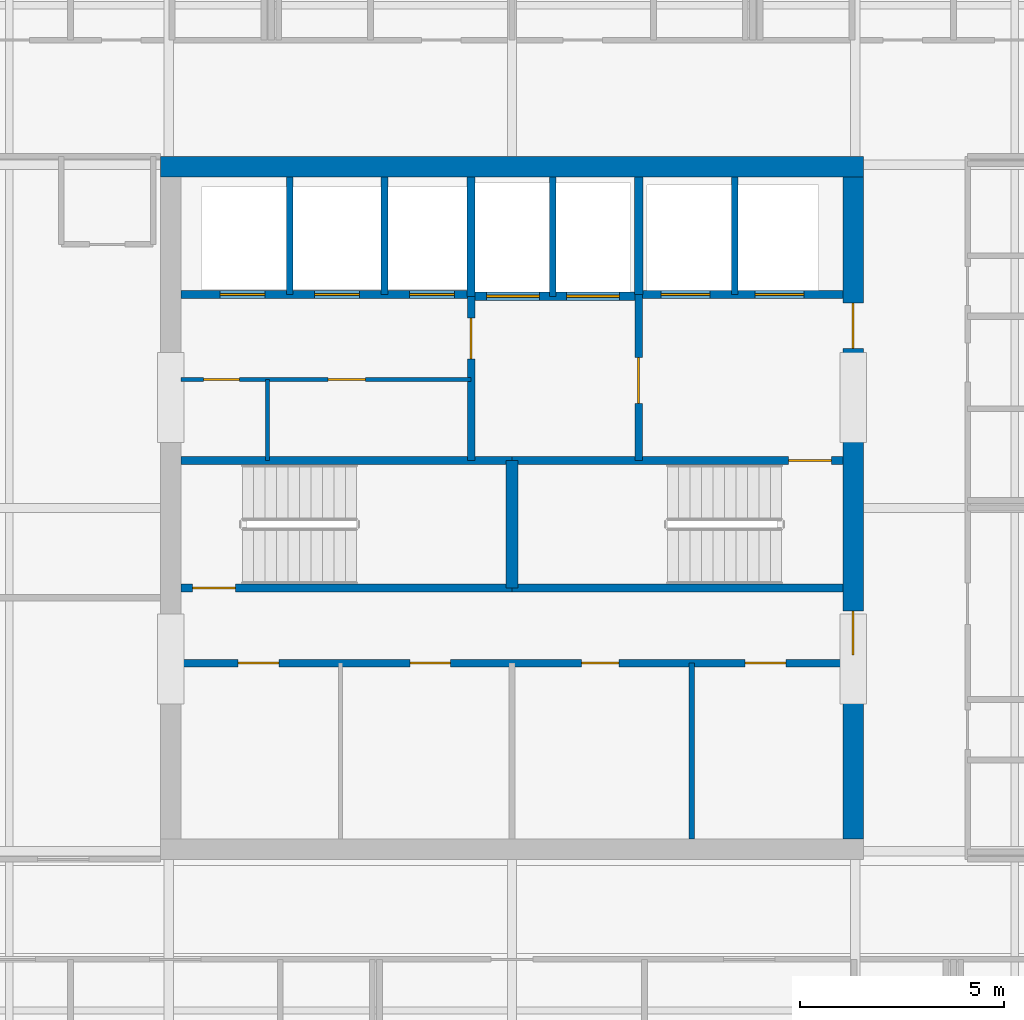
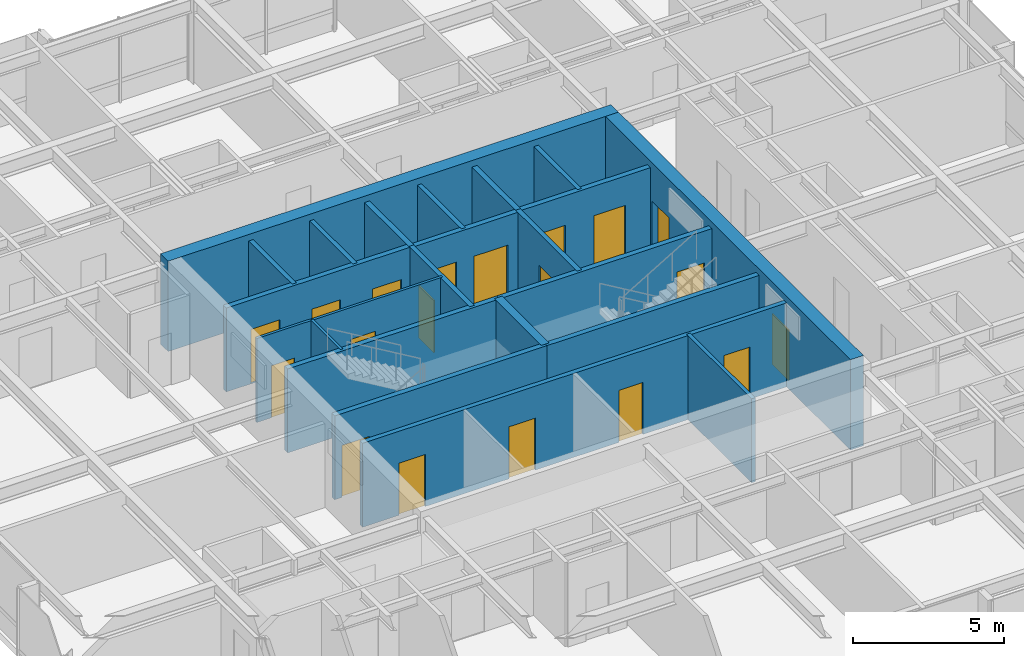
# One storey, part 29 of 34: 22 walls, 19 doors, 19 openings.
"""IFC4 building model written with IfcOpenShell, lengths in metres."""

from ifc_helpers import new_model, si_unit, direction, frame, frame_2d, origin, place, context, subcontext, project, spatial, rectangle, extrude, material, layer, layer_set, type_object, element, fill, save


model = new_model("IFC4")

# Units and contexts
model_context = context("Model", 3, precision=1e-05, world=origin(), true_north=direction((0.0, 1.0)))
body_context = subcontext(model_context, "Body", "Model", "MODEL_VIEW")
ifc_project = project(units=[si_unit("LENGTHUNIT", "METRE"), si_unit("AREAUNIT", "SQUARE_METRE"), si_unit("VOLUMEUNIT", "CUBIC_METRE"), si_unit("PLANEANGLEUNIT", "RADIAN"), si_unit("MASSUNIT", "GRAM", prefix="KILO")], contexts=[model_context])

# Site, building, storey
site_placement = place(None, origin())
site = spatial("IfcSite", under=ifc_project, at=site_placement, CompositionType="ELEMENT")
building_placement = place(site_placement, origin())
building = spatial("IfcBuilding", under=site, at=building_placement, Name="Drelvath Grand Hotel", CompositionType="ELEMENT")
storey_placement = place(building_placement, frame((0.0, 0.0, 272.300048828125)))
storey = spatial("IfcBuildingStorey", under=building, at=storey_placement, Name="L71", CompositionType="ELEMENT", Elevation=272.300048828125)

# Wall, openings, doors
ifc_material_1 = material(Name="Gypsum Partition Board")
ifc_layer_1 = layer(ifc_material_1, 0.10009765625)
ifc_layer_set_1 = layer_set([ifc_layer_1], Name="Gypsum Partition Board")
wall_type_1 = type_object("IfcWallType", Name="Core Closet Partition 100", PredefinedType="PARTITIONING", material=ifc_layer_set_1)
wall_1_placement = place(storey_placement, frame((-8.10009765625, 30.139892578125, 0.0), z_axis=(0.0, 0.0, 1.0), x_axis=(1.0, 0.0, 0.0)))
wall_1 = element("IfcWall", 1, at=wall_1_placement, inside=storey, type_object=wall_type_1, Name="L71 High-Rise Lobby Closet Wall", PredefinedType="PARTITIONING", context=body_context, shape_type="SweptSolid", body=[
    extrude(rectangle(XDim=7.10009765625, YDim=0.10009765625, at=frame_2d((3.550048828125, 0.0))), origin(), (0.0, 0.0, 1.0), 3.389892578125),
])
opening_1_placement = place(wall_1_placement, frame((0.550048828125, 0.0, 0.0)))
opening_1 = element("IfcOpeningElement", 2, at=opening_1_placement, cuts=wall_1, Name="Opening D-T5G1-013", PredefinedType="OPENING", context=body_context, shape_type="SweptSolid", body=[
    extrude(rectangle(XDim=0.8798828125, YDim=2.10009765625, at=frame_2d((0.43994140625, 1.050048828125))), frame((0.0, 0.06005859375, 0.0), z_axis=(0.0, -1.0, 0.0), x_axis=(1.0, 0.0, 0.0)), (0.0, 0.0, 1.0), 0.1201171875),
])
opening_2_placement = place(wall_1_placement, frame((3.60009765625, 0.0, 0.0)))
opening_2 = element("IfcOpeningElement", 3, at=opening_2_placement, cuts=wall_1, Name="Opening D-T5G1-014", PredefinedType="OPENING", context=body_context, shape_type="SweptSolid", body=[
    extrude(rectangle(XDim=0.919921875, YDim=2.10009765625, at=frame_2d((0.4599609375, 1.050048828125))), frame((0.0, 0.06005859375, 0.0), z_axis=(0.0, -1.0, 0.0), x_axis=(1.0, 0.0, 0.0)), (0.0, 0.0, 1.0), 0.1201171875),
])
ifc_material_2 = material(Name="Hardwood Walnut Timber", Category="wood")
door_type_1 = type_object("IfcDoorType", Name="En-Suite Bathroom Door 880x2100", OperationType="NOTDEFINED", PredefinedType="DOOR", material=ifc_material_2)
door_1_placement = place(opening_1_placement, origin())
door_1 = element("IfcDoor", 4, at=door_1_placement, inside=storey, type_object=door_type_1, Name="L71 Low-Voltage Closet Door", OperationType="SINGLE_SWING_RIGHT", OverallHeight=2.10009765625, OverallWidth=0.8798828125, PredefinedType="DOOR", context=body_context, shape_type="SweptSolid", body=[
    extrude(rectangle(XDim=0.8798828125, YDim=2.10009765625, at=frame_2d((0.43994140625, 1.050048828125))), frame((0.0, 0.02490234375, 0.0), z_axis=(0.0, -1.0, 0.0), x_axis=(1.0, 0.0, 0.0)), (0.0, 0.0, 1.0), 0.050048828125),
])
fill(opening_1, door_1)
ifc_material_3 = material(Name="Painted Steel S275", Category="steel")
door_type_2 = type_object("IfcDoorType", Name="Staff Utility Door 920x2100", OperationType="NOTDEFINED", PredefinedType="DOOR", material=ifc_material_3)
door_2_placement = place(opening_2_placement, origin())
door_2 = element("IfcDoor", 5, at=door_2_placement, inside=storey, type_object=door_type_2, Name="L71 Telecom Distribution Door", OperationType="SINGLE_SWING_LEFT", OverallHeight=2.10009765625, OverallWidth=0.919921875, PredefinedType="DOOR", context=body_context, shape_type="SweptSolid", body=[
    extrude(rectangle(XDim=0.919921875, YDim=2.10009765625, at=frame_2d((0.4599609375, 1.050048828125))), frame((0.0, 0.02490234375, 0.0), z_axis=(0.0, -1.0, 0.0), x_axis=(1.0, 0.0, 0.0)), (0.0, 0.0, 1.0), 0.050048828125),
])
fill(opening_2, door_2)

# Wall
wall_2_placement = place(storey_placement, frame((-5.97998046875, 28.159912109375, 0.0), z_axis=(0.0, 0.0, 1.0), x_axis=(0.0, 1.0, 0.0)))
element("IfcWall", 6, at=wall_2_placement, inside=storey, type_object=wall_type_1, Name="L71 Core Closet Split 2", PredefinedType="PARTITIONING", context=body_context, shape_type="SweptSolid", body=[
    extrude(rectangle(XDim=1.97998046875, YDim=0.10009765625, at=frame_2d((0.989990234375, 0.0))), origin(), (0.0, 0.0, 1.0), 3.389892578125),
])

# Wall, openings, doors
ifc_material_4 = material(Name="Concrete C40/50", Category="concrete")
ifc_layer_2 = layer(ifc_material_4, 0.199951171875)
ifc_layer_set_2 = layer_set([ifc_layer_2], Name="Concrete C40/50")
wall_type_2 = type_object("IfcWallType", Name="Core Hoistway Fire Wall 200", PredefinedType="SOLIDWALL", material=ifc_layer_set_2)
wall_3_placement = place(storey_placement, frame((3.10009765625, 32.219970703125, 0.0), z_axis=(0.0, 0.0, 1.0), x_axis=(1.0, 0.0, 0.0)))
wall_3 = element("IfcWall", 7, at=wall_3_placement, inside=storey, type_object=wall_type_2, Name="L71 FSAE Hoistway Front Wall", PredefinedType="SOLIDWALL", context=body_context, shape_type="SweptSolid", body=[
    extrude(rectangle(XDim=5.0, YDim=0.199951171875, at=frame_2d((2.5, 0.0))), origin(), (0.0, 0.0, 1.0), 3.389892578125),
])
opening_3_placement = place(wall_3_placement, frame((0.550048828125, 0.0, 0.0)))
opening_3 = element("IfcOpeningElement", 8, at=opening_3_placement, cuts=wall_3, Name="Opening LD-FSAE-1", PredefinedType="OPENING", context=body_context, shape_type="SweptSolid", body=[
    extrude(rectangle(XDim=1.199951171875, YDim=2.199951171875, at=frame_2d((0.60009765625, 1.10009765625))), frame((0.0, 0.10986328125, 0.0), z_axis=(0.0, -1.0, 0.0), x_axis=(1.0, 0.0, 0.0)), (0.0, 0.0, 1.0), 0.219970703125),
])
opening_4_placement = place(wall_3_placement, frame((2.85009765625, 0.0, 0.0)))
opening_4 = element("IfcOpeningElement", 9, at=opening_4_placement, cuts=wall_3, Name="Opening LD-FSAE-2", PredefinedType="OPENING", context=body_context, shape_type="SweptSolid", body=[
    extrude(rectangle(XDim=1.199951171875, YDim=2.199951171875, at=frame_2d((0.60009765625, 1.10009765625))), frame((0.0, 0.10986328125, 0.0), z_axis=(0.0, -1.0, 0.0), x_axis=(1.0, 0.0, 0.0)), (0.0, 0.0, 1.0), 0.219970703125),
])
ifc_material_5 = material(Name="Stainless Steel S355", Category="steel")
door_type_3 = type_object("IfcDoorType", Name="FSAE Lift Sliding Landing Door 1200x2200", OperationType="NOTDEFINED", PredefinedType="DOOR", material=ifc_material_5)
door_3_placement = place(opening_3_placement, origin())
door_3 = element("IfcDoor", 10, at=door_3_placement, inside=storey, type_object=door_type_3, Name="L71 Lift FSAE-1 Landing Door", OperationType="SLIDING_TO_LEFT", OverallHeight=2.199951171875, OverallWidth=1.199951171875, PredefinedType="DOOR", context=body_context, shape_type="SweptSolid", body=[
    extrude(rectangle(XDim=1.199951171875, YDim=2.199951171875, at=frame_2d((0.60009765625, 1.10009765625))), frame((0.0, 0.02490234375, 0.0), z_axis=(0.0, -1.0, 0.0), x_axis=(1.0, 0.0, 0.0)), (0.0, 0.0, 1.0), 0.050048828125),
])
fill(opening_3, door_3)
door_4_placement = place(opening_4_placement, origin())
door_4 = element("IfcDoor", 11, at=door_4_placement, inside=storey, type_object=door_type_3, Name="L71 Lift FSAE-2 Landing Door", OperationType="SLIDING_TO_LEFT", OverallHeight=2.199951171875, OverallWidth=1.199951171875, PredefinedType="DOOR", context=body_context, shape_type="SweptSolid", body=[
    extrude(rectangle(XDim=1.199951171875, YDim=2.199951171875, at=frame_2d((0.60009765625, 1.10009765625))), frame((0.0, 0.02490234375, 0.0), z_axis=(0.0, -1.0, 0.0), x_axis=(1.0, 0.0, 0.0)), (0.0, 0.0, 1.0), 0.050048828125),
])
fill(opening_4, door_4)

# Wall
wall_4_placement = place(storey_placement, frame((3.10009765625, 32.219970703125, 0.0), z_axis=(0.0, 0.0, 1.0), x_axis=(0.0, 1.0, 0.0)))
element("IfcWall", 12, at=wall_4_placement, inside=storey, type_object=wall_type_2, Name="L71 FSAE Hoistway West Wall", PredefinedType="SOLIDWALL", context=body_context, shape_type="SweptSolid", body=[
    extrude(rectangle(XDim=2.880126953125, YDim=0.199951171875, at=frame_2d((1.43994140625, 0.0))), origin(), (0.0, 0.0, 1.0), 3.389892578125),
])

# Wall, openings, doors
wall_5_placement = place(storey_placement, frame((-1.0, 32.179931640625, 0.0), z_axis=(0.0, 0.0, 1.0), x_axis=(1.0, 0.0, 0.0)))
wall_5 = element("IfcWall", 13, at=wall_5_placement, inside=storey, type_object=wall_type_2, Name="L71 Service Lift Hoistway Wall", PredefinedType="SOLIDWALL", context=body_context, shape_type="SweptSolid", body=[
    extrude(rectangle(XDim=4.10009765625, YDim=0.199951171875, at=frame_2d((2.050048828125, 0.0))), origin(), (0.0, 0.0, 1.0), 3.389892578125),
])
opening_5_placement = place(wall_5_placement, frame((0.3701171875, 0.0, 0.0)))
opening_5 = element("IfcOpeningElement", 14, at=opening_5_placement, cuts=wall_5, Name="Opening LD-SV-2", PredefinedType="OPENING", context=body_context, shape_type="SweptSolid", body=[
    extrude(rectangle(XDim=1.300048828125, YDim=2.199951171875, at=frame_2d((0.64990234375, 1.10009765625))), frame((0.0, 0.10986328125, 0.0), z_axis=(0.0, -1.0, 0.0), x_axis=(1.0, 0.0, 0.0)), (0.0, 0.0, 1.0), 0.219970703125),
])
opening_6_placement = place(wall_5_placement, frame((2.330078125, 0.0, 0.0)))
opening_6 = element("IfcOpeningElement", 15, at=opening_6_placement, cuts=wall_5, Name="Opening LD-SV-1", PredefinedType="OPENING", context=body_context, shape_type="SweptSolid", body=[
    extrude(rectangle(XDim=1.300048828125, YDim=2.199951171875, at=frame_2d((0.64990234375, 1.10009765625))), frame((0.0, 0.10986328125, 0.0), z_axis=(0.0, -1.0, 0.0), x_axis=(1.0, 0.0, 0.0)), (0.0, 0.0, 1.0), 0.219970703125),
])
door_type_4 = type_object("IfcDoorType", Name="Service Lift Sliding Landing Door 1300x2200", OperationType="NOTDEFINED", PredefinedType="DOOR", material=ifc_material_5)
door_5_placement = place(opening_5_placement, origin())
door_5 = element("IfcDoor", 16, at=door_5_placement, inside=storey, type_object=door_type_4, Name="L71 Lift SV-2 Landing Door", OperationType="SLIDING_TO_LEFT", OverallHeight=2.199951171875, OverallWidth=1.300048828125, PredefinedType="DOOR", context=body_context, shape_type="SweptSolid", body=[
    extrude(rectangle(XDim=1.300048828125, YDim=2.199951171875, at=frame_2d((0.64990234375, 1.10009765625))), frame((0.0, 0.02490234375, 0.0), z_axis=(0.0, -1.0, 0.0), x_axis=(1.0, 0.0, 0.0)), (0.0, 0.0, 1.0), 0.050048828125),
])
fill(opening_5, door_5)
door_6_placement = place(opening_6_placement, origin())
door_6 = element("IfcDoor", 17, at=door_6_placement, inside=storey, type_object=door_type_4, Name="L71 Lift SV-1 Landing Door", OperationType="SLIDING_TO_LEFT", OverallHeight=2.199951171875, OverallWidth=1.300048828125, PredefinedType="DOOR", context=body_context, shape_type="SweptSolid", body=[
    extrude(rectangle(XDim=1.300048828125, YDim=2.199951171875, at=frame_2d((0.64990234375, 1.10009765625))), frame((0.0, 0.02490234375, 0.0), z_axis=(0.0, -1.0, 0.0), x_axis=(1.0, 0.0, 0.0)), (0.0, 0.0, 1.0), 0.050048828125),
])
fill(opening_6, door_6)

# Wall
wall_6_placement = place(storey_placement, frame((-1.0, 32.179931640625, 0.0), z_axis=(0.0, 0.0, 1.0), x_axis=(0.0, 1.0, 0.0)))
element("IfcWall", 18, at=wall_6_placement, inside=storey, type_object=wall_type_2, Name="L71 Service Lift West Wall", PredefinedType="SOLIDWALL", context=body_context, shape_type="SweptSolid", body=[
    extrude(rectangle(XDim=2.920166015625, YDim=0.199951171875, at=frame_2d((1.4599609375, 0.0))), origin(), (0.0, 0.0, 1.0), 3.389892578125),
])

# Wall, openings, doors
wall_7_placement = place(storey_placement, frame((-8.10009765625, 32.219970703125, 0.0), z_axis=(0.0, 0.0, 1.0), x_axis=(1.0, 0.0, 0.0)))
wall_7 = element("IfcWall", 19, at=wall_7_placement, inside=storey, type_object=wall_type_2, Name="L71 Bank 3 Hoistway Wall", PredefinedType="SOLIDWALL", context=body_context, shape_type="SweptSolid", body=[
    extrude(rectangle(XDim=7.10009765625, YDim=0.199951171875, at=frame_2d((3.550048828125, 0.0))), origin(), (0.0, 0.0, 1.0), 3.389892578125),
])
opening_7_placement = place(wall_7_placement, frame((0.949951171875, 0.0, 0.0)))
opening_7 = element("IfcOpeningElement", 20, at=opening_7_placement, cuts=wall_7, Name="Opening LD-PE-7", PredefinedType="OPENING", context=body_context, shape_type="SweptSolid", body=[
    extrude(rectangle(XDim=1.10009765625, YDim=2.199951171875, at=frame_2d((0.550048828125, 1.10009765625))), frame((0.0, 0.10986328125, 0.0), z_axis=(0.0, -1.0, 0.0), x_axis=(1.0, 0.0, 0.0)), (0.0, 0.0, 1.0), 0.219970703125),
])
opening_8_placement = place(wall_7_placement, frame((3.27001953125, 0.0, 0.0)))
opening_8 = element("IfcOpeningElement", 21, at=opening_8_placement, cuts=wall_7, Name="Opening LD-PE-8", PredefinedType="OPENING", context=body_context, shape_type="SweptSolid", body=[
    extrude(rectangle(XDim=1.10009765625, YDim=2.199951171875, at=frame_2d((0.550048828125, 1.10009765625))), frame((0.0, 0.10986328125, 0.0), z_axis=(0.0, -1.0, 0.0), x_axis=(1.0, 0.0, 0.0)), (0.0, 0.0, 1.0), 0.219970703125),
])
opening_9_placement = place(wall_7_placement, frame((5.590087890625, 0.0, 0.0)))
opening_9 = element("IfcOpeningElement", 22, at=opening_9_placement, cuts=wall_7, Name="Opening LD-PE-9", PredefinedType="OPENING", context=body_context, shape_type="SweptSolid", body=[
    extrude(rectangle(XDim=1.10009765625, YDim=2.199951171875, at=frame_2d((0.550048828125, 1.10009765625))), frame((0.0, 0.10986328125, 0.0), z_axis=(0.0, -1.0, 0.0), x_axis=(1.0, 0.0, 0.0)), (0.0, 0.0, 1.0), 0.219970703125),
])
door_type_5 = type_object("IfcDoorType", Name="Passenger Lift Sliding Landing Door 1100x2200", OperationType="NOTDEFINED", PredefinedType="DOOR", material=ifc_material_5)
door_7_placement = place(opening_7_placement, origin())
door_7 = element("IfcDoor", 23, at=door_7_placement, inside=storey, type_object=door_type_5, Name="L71 Lift PE-7 Landing Door", OperationType="SLIDING_TO_LEFT", OverallHeight=2.199951171875, OverallWidth=1.10009765625, PredefinedType="DOOR", context=body_context, shape_type="SweptSolid", body=[
    extrude(rectangle(XDim=1.10009765625, YDim=2.199951171875, at=frame_2d((0.550048828125, 1.10009765625))), frame((0.0, 0.02490234375, 0.0), z_axis=(0.0, -1.0, 0.0), x_axis=(1.0, 0.0, 0.0)), (0.0, 0.0, 1.0), 0.050048828125),
])
fill(opening_7, door_7)
door_8_placement = place(opening_8_placement, origin())
door_8 = element("IfcDoor", 24, at=door_8_placement, inside=storey, type_object=door_type_5, Name="L71 Lift PE-8 Landing Door", OperationType="SLIDING_TO_LEFT", OverallHeight=2.199951171875, OverallWidth=1.10009765625, PredefinedType="DOOR", context=body_context, shape_type="SweptSolid", body=[
    extrude(rectangle(XDim=1.10009765625, YDim=2.199951171875, at=frame_2d((0.550048828125, 1.10009765625))), frame((0.0, 0.02490234375, 0.0), z_axis=(0.0, -1.0, 0.0), x_axis=(1.0, 0.0, 0.0)), (0.0, 0.0, 1.0), 0.050048828125),
])
fill(opening_8, door_8)
door_9_placement = place(opening_9_placement, origin())
door_9 = element("IfcDoor", 25, at=door_9_placement, inside=storey, type_object=door_type_5, Name="L71 Lift PE-9 Landing Door", OperationType="SLIDING_TO_LEFT", OverallHeight=2.199951171875, OverallWidth=1.10009765625, PredefinedType="DOOR", context=body_context, shape_type="SweptSolid", body=[
    extrude(rectangle(XDim=1.10009765625, YDim=2.199951171875, at=frame_2d((0.550048828125, 1.10009765625))), frame((0.0, 0.02490234375, 0.0), z_axis=(0.0, -1.0, 0.0), x_axis=(1.0, 0.0, 0.0)), (0.0, 0.0, 1.0), 0.050048828125),
])
fill(opening_9, door_9)

# Wall, opening, door
ifc_layer_3 = layer(ifc_material_4, 0.199951171875)
ifc_layer_set_3 = layer_set([ifc_layer_3], Name="Concrete C40/50")
wall_type_3 = type_object("IfcWallType", Name="Core Shaft Fire Wall 200", PredefinedType="SOLIDWALL", material=ifc_layer_set_3)
wall_8_placement = place(storey_placement, frame((-8.10009765625, 25.0400390625, 0.0), z_axis=(0.0, 0.0, 1.0), x_axis=(1.0, 0.0, 0.0)))
wall_8 = element("IfcWall", 26, at=wall_8_placement, inside=storey, type_object=wall_type_3, Name="L71 Stair ST-1 South Wall", PredefinedType="SOLIDWALL", context=body_context, shape_type="SweptSolid", body=[
    extrude(rectangle(XDim=8.10009765625, YDim=0.199951171875, at=frame_2d((4.050048828125, 0.0))), origin(), (0.0, 0.0, 1.0), 3.389892578125),
])
opening_10_placement = place(wall_8_placement, frame((0.280029296875, 0.0, 0.0)))
opening_10 = element("IfcOpeningElement", 27, at=opening_10_placement, cuts=wall_8, Name="Opening D-T5G1-001", PredefinedType="OPENING", context=body_context, shape_type="SweptSolid", body=[
    extrude(rectangle(XDim=1.050048828125, YDim=2.10009765625, at=frame_2d((0.52490234375, 1.050048828125))), frame((0.0, 0.10986328125, 0.0), z_axis=(0.0, -1.0, 0.0), x_axis=(1.0, 0.0, 0.0)), (0.0, 0.0, 1.0), 0.219970703125),
])
door_type_6 = type_object("IfcDoorType", Name="Tower Stairwell Fire Door 1050x2100", OperationType="NOTDEFINED", PredefinedType="DOOR", material=ifc_material_3)
door_10_placement = place(opening_10_placement, origin())
door_10 = element("IfcDoor", 28, at=door_10_placement, inside=storey, type_object=door_type_6, Name="L71 Exit Stair ST-1 Door", OperationType="SINGLE_SWING_LEFT", OverallHeight=2.10009765625, OverallWidth=1.050048828125, PredefinedType="DOOR", context=body_context, shape_type="SweptSolid", body=[
    extrude(rectangle(XDim=1.050048828125, YDim=2.10009765625, at=frame_2d((0.52490234375, 1.050048828125))), frame((0.0, 0.02490234375, 0.0), z_axis=(0.0, -1.0, 0.0), x_axis=(1.0, 0.0, 0.0)), (0.0, 0.0, 1.0), 0.050048828125),
])
fill(opening_10, door_10)

# Walls
for number, where, z_axis, x_axis, name in (
    (29, (-8.10009765625, 28.159912109375, 0.0), (0.0, 0.0, 1.0), (1.0, 0.0, 0.0), "L71 Stair ST-1 North Wall"),
    (30, (0.0, 25.0400390625, 0.0), (0.0, 0.0, 1.0), (1.0, 0.0, 0.0), "L71 Stair ST-2 South Wall"),
):
    element("IfcWall", number, at=place(storey_placement, frame(where, z_axis=z_axis, x_axis=x_axis)), inside=storey, type_object=wall_type_3, Name=name, PredefinedType="SOLIDWALL", context=body_context, shape_type="SweptSolid", body=[
        extrude(rectangle(XDim=8.10009765625, YDim=0.199951171875, at=frame_2d((4.050048828125, 0.0))), origin(), (0.0, 0.0, 1.0), 3.389892578125),
    ])

# Wall, opening, door
wall_9_placement = place(storey_placement, frame((8.10009765625, 28.159912109375, 0.0), z_axis=(0.0, 0.0, 1.0), x_axis=(-1.0, 0.0, 0.0)))
wall_9 = element("IfcWall", 31, at=wall_9_placement, inside=storey, type_object=wall_type_3, Name="L71 Stair ST-2 North Wall", PredefinedType="SOLIDWALL", context=body_context, shape_type="SweptSolid", body=[
    extrude(rectangle(XDim=8.10009765625, YDim=0.199951171875, at=frame_2d((4.050048828125, 0.0))), origin(), (0.0, 0.0, 1.0), 3.389892578125),
])
opening_11_placement = place(wall_9_placement, frame((0.280029296875, 0.0, 0.0)))
opening_11 = element("IfcOpeningElement", 32, at=opening_11_placement, cuts=wall_9, Name="Opening D-T5G1-002", PredefinedType="OPENING", context=body_context, shape_type="SweptSolid", body=[
    extrude(rectangle(XDim=1.050048828125, YDim=2.10009765625, at=frame_2d((0.52490234375, 1.050048828125))), frame((0.0, 0.10986328125, 0.0), z_axis=(0.0, -1.0, 0.0), x_axis=(1.0, 0.0, 0.0)), (0.0, 0.0, 1.0), 0.219970703125),
])
door_11_placement = place(opening_11_placement, origin())
door_11 = element("IfcDoor", 33, at=door_11_placement, inside=storey, type_object=door_type_6, Name="L71 Exit Stair ST-2 Door", OperationType="SINGLE_SWING_LEFT", OverallHeight=2.10009765625, OverallWidth=1.050048828125, PredefinedType="DOOR", context=body_context, shape_type="SweptSolid", body=[
    extrude(rectangle(XDim=1.050048828125, YDim=2.10009765625, at=frame_2d((0.52490234375, 1.050048828125))), frame((0.0, 0.02490234375, 0.0), z_axis=(0.0, -1.0, 0.0), x_axis=(1.0, 0.0, 0.0)), (0.0, 0.0, 1.0), 0.050048828125),
])
fill(opening_11, door_11)

# Walls
ifc_layer_4 = layer(ifc_material_4, 0.300048828125)
ifc_layer_set_4 = layer_set([ifc_layer_4], Name="Concrete C40/50")
wall_type_4 = type_object("IfcWallType", Name="Core Shaft Fire Wall 300", PredefinedType="SOLIDWALL", material=ifc_layer_set_4)
wall_10_placement = place(storey_placement, frame((0.0, 25.0400390625, 0.0), z_axis=(0.0, 0.0, 1.0), x_axis=(0.0, 1.0, 0.0)))
element("IfcWall", 34, at=wall_10_placement, inside=storey, type_object=wall_type_4, Name="L71 Core Stair Divider Wall", PredefinedType="SOLIDWALL", context=body_context, shape_type="SweptSolid", body=[
    extrude(rectangle(XDim=3.119873046875, YDim=0.300048828125, at=frame_2d((1.56005859375, 0.0))), origin(), (0.0, 0.0, 1.0), 3.389892578125),
])
ifc_material_6 = material(Name="Gypsum Fireboard Partition")
ifc_layer_5 = layer(ifc_material_6, 0.1650390625)
ifc_layer_set_5 = layer_set([ifc_layer_5], Name="Gypsum Fireboard Partition")
wall_type_5 = type_object("IfcWallType", Name="Core Shaft Partition 165", PredefinedType="PARTITIONING", material=ifc_layer_set_5)
wall_11_placement = place(storey_placement, frame((5.449951171875, 32.219970703125, 0.0), z_axis=(0.0, 0.0, 1.0), x_axis=(0.0, 1.0, 0.0)))
element("IfcWall", 35, at=wall_11_placement, inside=storey, type_object=wall_type_5, Name="L71 FSAE Hoistway Divider", PredefinedType="PARTITIONING", context=body_context, shape_type="SweptSolid", body=[
    extrude(rectangle(XDim=2.880126953125, YDim=0.1650390625, at=frame_2d((1.43994140625, 0.0))), origin(), (0.0, 0.0, 1.0), 3.389892578125),
])
wall_12_placement = place(storey_placement, frame((1.0, 32.179931640625, 0.0), z_axis=(0.0, 0.0, 1.0), x_axis=(0.0, 1.0, 0.0)))
element("IfcWall", 36, at=wall_12_placement, inside=storey, type_object=wall_type_5, Name="L71 Service Lift Divider", PredefinedType="PARTITIONING", context=body_context, shape_type="SweptSolid", body=[
    extrude(rectangle(XDim=2.920166015625, YDim=0.1650390625, at=frame_2d((1.4599609375, 0.0))), origin(), (0.0, 0.0, 1.0), 3.389892578125),
])
for number, where, z_axis, x_axis, name in (
    (37, (-5.43994140625, 32.219970703125, 0.0), (0.0, 0.0, 1.0), (0.0, 1.0, 0.0), "L71 Lift PE-7/8 Divider"),
    (38, (-3.1201171875, 32.219970703125, 0.0), (0.0, 0.0, 1.0), (0.0, 1.0, 0.0), "L71 Lift PE-8/9 Divider"),
):
    element("IfcWall", number, at=place(storey_placement, frame(where, z_axis=z_axis, x_axis=x_axis)), inside=storey, type_object=wall_type_5, Name=name, PredefinedType="PARTITIONING", context=body_context, shape_type="SweptSolid", body=[
        extrude(rectangle(XDim=2.880126953125, YDim=0.1650390625, at=frame_2d((1.43994140625, 0.0))), origin(), (0.0, 0.0, 1.0), 3.389892578125),
    ])
ifc_material_7 = material(Name="Moisture-Resistant Gypsum Board")
ifc_layer_6 = layer(ifc_material_7, 0.139892578125)
ifc_layer_set_6 = layer_set([ifc_layer_6], Name="Moisture-Resistant Gypsum Board")
wall_type_6 = type_object("IfcWallType", Name="En-Suite Plumbing Wall 140", PredefinedType="PLUMBINGWALL", material=ifc_layer_set_6)
wall_13_placement = place(storey_placement, frame((4.39990234375, 18.89990234375, 0.0), z_axis=(0.0, 0.0, 1.0), x_axis=(0.0, 1.0, 0.0)))
element("IfcWall", 39, at=wall_13_placement, inside=storey, type_object=wall_type_6, Name="L71 Upper Core Split 2C", PredefinedType="PLUMBINGWALL", context=body_context, shape_type="SweptSolid", body=[
    extrude(rectangle(XDim=4.300048828125, YDim=0.139892578125, at=frame_2d((2.14990234375, 0.0))), origin(), (0.0, 0.0, 1.0), 3.389892578125),
])

# Wall, opening, door
ifc_layer_7 = layer(ifc_material_6, 0.179931640625)
ifc_layer_set_7 = layer_set([ifc_layer_7], Name="Gypsum Fireboard Partition")
wall_type_7 = type_object("IfcWallType", Name="FSAE Smoke Lobby Fire Wall 180", PredefinedType="SOLIDWALL", material=ifc_layer_set_7)
wall_14_placement = place(storey_placement, frame((3.10009765625, 28.159912109375, 0.0), z_axis=(0.0, 0.0, 1.0), x_axis=(0.0, 1.0, 0.0)))
wall_14 = element("IfcWall", 40, at=wall_14_placement, inside=storey, type_object=wall_type_7, Name="L71 FSAE Smoke Lobby West Wall", PredefinedType="SOLIDWALL", context=body_context, shape_type="SweptSolid", body=[
    extrude(rectangle(XDim=4.06005859375, YDim=0.179931640625, at=frame_2d((2.030029296875, 0.0))), origin(), (0.0, 0.0, 1.0), 3.389892578125),
])
opening_12_placement = place(wall_14_placement, frame((1.39990234375, 0.0, 0.0)))
opening_12 = element("IfcOpeningElement", 41, at=opening_12_placement, cuts=wall_14, Name="Opening D-T5G1-005", PredefinedType="OPENING", context=body_context, shape_type="SweptSolid", body=[
    extrude(rectangle(XDim=1.1201171875, YDim=2.10009765625, at=frame_2d((0.56005859375, 1.050048828125))), frame((0.0, 0.099853515625, 0.0), z_axis=(0.0, -1.0, 0.0), x_axis=(1.0, 0.0, 0.0)), (0.0, 0.0, 1.0), 0.199951171875),
])
door_type_7 = type_object("IfcDoorType", Name="FSAE Smoke Lobby Fire Door 1120x2100", OperationType="NOTDEFINED", PredefinedType="DOOR", material=ifc_material_3)
door_12_placement = place(opening_12_placement, origin())
door_12 = element("IfcDoor", 42, at=door_12_placement, inside=storey, type_object=door_type_7, Name="L71 FSAE Lobby Service Vestibule Door", OperationType="SINGLE_SWING_RIGHT", OverallHeight=2.10009765625, OverallWidth=1.1201171875, PredefinedType="DOOR", context=body_context, shape_type="SweptSolid", body=[
    extrude(rectangle(XDim=1.1201171875, YDim=2.10009765625, at=frame_2d((0.56005859375, 1.050048828125))), frame((0.0, 0.02490234375, 0.0), z_axis=(0.0, -1.0, 0.0), x_axis=(1.0, 0.0, 0.0)), (0.0, 0.0, 1.0), 0.050048828125),
])
fill(opening_12, door_12)

wall_15_placement = place(storey_placement, frame((-1.0, 28.159912109375, 0.0), z_axis=(0.0, 0.0, 1.0), x_axis=(0.0, 1.0, 0.0)))
wall_15 = element("IfcWall", 43, at=wall_15_placement, inside=storey, type_object=wall_type_7, Name="L71 Service Vestibule West Wall", PredefinedType="SOLIDWALL", context=body_context, shape_type="SweptSolid", body=[
    extrude(rectangle(XDim=4.02001953125, YDim=0.179931640625, at=frame_2d((2.010009765625, 0.0))), origin(), (0.0, 0.0, 1.0), 3.389892578125),
])
opening_13_placement = place(wall_15_placement, frame((2.489990234375, 0.0, 0.0)))
opening_13 = element("IfcOpeningElement", 44, at=opening_13_placement, cuts=wall_15, Name="Opening D-T5G1-009", PredefinedType="OPENING", context=body_context, shape_type="SweptSolid", body=[
    extrude(rectangle(XDim=1.0, YDim=2.10009765625, at=frame_2d((0.5, 1.050048828125))), frame((0.0, 0.099853515625, 0.0), z_axis=(0.0, -1.0, 0.0), x_axis=(1.0, 0.0, 0.0)), (0.0, 0.0, 1.0), 0.199951171875),
])
door_type_8 = type_object("IfcDoorType", Name="Core Service Fire Door 1000x2100", OperationType="NOTDEFINED", PredefinedType="DOOR", material=ifc_material_3)
door_13_placement = place(opening_13_placement, origin())
door_13 = element("IfcDoor", 45, at=door_13_placement, inside=storey, type_object=door_type_8, Name="L71 Service Vestibule West Door", OperationType="SINGLE_SWING_LEFT", OverallHeight=2.10009765625, OverallWidth=1.0, PredefinedType="DOOR", context=body_context, shape_type="SweptSolid", body=[
    extrude(rectangle(XDim=1.0, YDim=2.10009765625, at=frame_2d((0.5, 1.050048828125))), frame((0.0, 0.02490234375, 0.0), z_axis=(0.0, -1.0, 0.0), x_axis=(1.0, 0.0, 0.0)), (0.0, 0.0, 1.0), 0.050048828125),
])
fill(opening_13, door_13)

# Wall, openings, doors
wall_16_placement = place(storey_placement, frame((-8.10009765625, 23.199951171875, 0.0), z_axis=(0.0, 0.0, 1.0), x_axis=(1.0, 0.0, 0.0)))
wall_16 = element("IfcWall", 46, at=wall_16_placement, inside=storey, type_object=wall_type_7, Name="L71 Upper Reclaimed Core Wall", PredefinedType="SOLIDWALL", context=body_context, shape_type="SweptSolid", body=[
    extrude(rectangle(XDim=16.2001953125, YDim=0.179931640625, at=frame_2d((8.10009765625, 0.0))), origin(), (0.0, 0.0, 1.0), 3.389892578125),
])
opening_14_placement = place(wall_16_placement, frame((1.39990234375, 0.0, 0.0)))
opening_14 = element("IfcOpeningElement", 47, at=opening_14_placement, cuts=wall_16, Name="Opening D-T5G1-016", PredefinedType="OPENING", context=body_context, shape_type="SweptSolid", body=[
    extrude(rectangle(XDim=1.0, YDim=2.10009765625, at=frame_2d((0.5, 1.050048828125))), frame((0.0, 0.099853515625, 0.0), z_axis=(0.0, -1.0, 0.0), x_axis=(1.0, 0.0, 0.0)), (0.0, 0.0, 1.0), 0.199951171875),
])
opening_15_placement = place(wall_16_placement, frame((5.60009765625, 0.0, 0.0)))
opening_15 = element("IfcOpeningElement", 48, at=opening_15_placement, cuts=wall_16, Name="Opening D-T5G1-017", PredefinedType="OPENING", context=body_context, shape_type="SweptSolid", body=[
    extrude(rectangle(XDim=1.0, YDim=2.10009765625, at=frame_2d((0.5, 1.050048828125))), frame((0.0, 0.099853515625, 0.0), z_axis=(0.0, -1.0, 0.0), x_axis=(1.0, 0.0, 0.0)), (0.0, 0.0, 1.0), 0.199951171875),
])
opening_16_placement = place(wall_16_placement, frame((9.800048828125, 0.0, 0.0)))
opening_16 = element("IfcOpeningElement", 49, at=opening_16_placement, cuts=wall_16, Name="Opening D-T5G1-018", PredefinedType="OPENING", context=body_context, shape_type="SweptSolid", body=[
    extrude(rectangle(XDim=0.919921875, YDim=2.10009765625, at=frame_2d((0.4599609375, 1.050048828125))), frame((0.0, 0.099853515625, 0.0), z_axis=(0.0, -1.0, 0.0), x_axis=(1.0, 0.0, 0.0)), (0.0, 0.0, 1.0), 0.199951171875),
])
opening_17_placement = place(wall_16_placement, frame((13.800048828125, 0.0, 0.0)))
opening_17 = element("IfcOpeningElement", 50, at=opening_17_placement, cuts=wall_16, Name="Opening D-T5G1-019", PredefinedType="OPENING", context=body_context, shape_type="SweptSolid", body=[
    extrude(rectangle(XDim=1.0, YDim=2.10009765625, at=frame_2d((0.5, 1.050048828125))), frame((0.0, 0.099853515625, 0.0), z_axis=(0.0, -1.0, 0.0), x_axis=(1.0, 0.0, 0.0)), (0.0, 0.0, 1.0), 0.199951171875),
])
door_14_placement = place(opening_14_placement, origin())
door_14 = element("IfcDoor", 51, at=door_14_placement, inside=storey, type_object=door_type_8, Name="L71 Housekeeping Door", OperationType="SINGLE_SWING_LEFT", OverallHeight=2.10009765625, OverallWidth=1.0, PredefinedType="DOOR", context=body_context, shape_type="SweptSolid", body=[
    extrude(rectangle(XDim=1.0, YDim=2.10009765625, at=frame_2d((0.5, 1.050048828125))), frame((0.0, 0.02490234375, 0.0), z_axis=(0.0, -1.0, 0.0), x_axis=(1.0, 0.0, 0.0)), (0.0, 0.0, 1.0), 0.050048828125),
])
fill(opening_14, door_14)
door_15_placement = place(opening_15_placement, origin())
door_15 = element("IfcDoor", 52, at=door_15_placement, inside=storey, type_object=door_type_8, Name="L71 Valet Door", OperationType="SINGLE_SWING_RIGHT", OverallHeight=2.10009765625, OverallWidth=1.0, PredefinedType="DOOR", context=body_context, shape_type="SweptSolid", body=[
    extrude(rectangle(XDim=1.0, YDim=2.10009765625, at=frame_2d((0.5, 1.050048828125))), frame((0.0, 0.02490234375, 0.0), z_axis=(0.0, -1.0, 0.0), x_axis=(1.0, 0.0, 0.0)), (0.0, 0.0, 1.0), 0.050048828125),
])
fill(opening_15, door_15)
door_16_placement = place(opening_16_placement, origin())
door_16 = element("IfcDoor", 53, at=door_16_placement, inside=storey, type_object=door_type_8, Name="L71 Staff WC Door", OperationType="SINGLE_SWING_LEFT", OverallHeight=2.10009765625, OverallWidth=0.919921875, PredefinedType="DOOR", context=body_context, shape_type="SweptSolid", body=[
    extrude(rectangle(XDim=0.919921875, YDim=2.10009765625, at=frame_2d((0.4599609375, 1.050048828125))), frame((0.0, 0.02490234375, 0.0), z_axis=(0.0, -1.0, 0.0), x_axis=(1.0, 0.0, 0.0)), (0.0, 0.0, 1.0), 0.050048828125),
])
fill(opening_16, door_16)
door_17_placement = place(opening_17_placement, origin())
door_17 = element("IfcDoor", 54, at=door_17_placement, inside=storey, type_object=door_type_8, Name="L71 Telecom Door", OperationType="SINGLE_SWING_RIGHT", OverallHeight=2.10009765625, OverallWidth=1.0, PredefinedType="DOOR", context=body_context, shape_type="SweptSolid", body=[
    extrude(rectangle(XDim=1.0, YDim=2.10009765625, at=frame_2d((0.5, 1.050048828125))), frame((0.0, 0.02490234375, 0.0), z_axis=(0.0, -1.0, 0.0), x_axis=(1.0, 0.0, 0.0)), (0.0, 0.0, 1.0), 0.050048828125),
])
fill(opening_17, door_17)

# Wall
ifc_material_8 = material(Name="Concrete f'c 55 MPa", Category="concrete")
ifc_layer_8 = layer(ifc_material_8, 0.5)
ifc_layer_set_8 = layer_set([ifc_layer_8], Name="Concrete f'c 55 MPa")
wall_type_8 = type_object("IfcWallType", Name="Upper Core RC Shear Wall 500", PredefinedType="SHEAR", material=ifc_layer_set_8)
wall_17_placement = place(storey_placement, frame((-8.60009765625, 35.35009765625, 0.0), z_axis=(0.0, 0.0, 1.0), x_axis=(1.0, 0.0, 0.0)))
element("IfcWall", 55, at=wall_17_placement, inside=storey, type_object=wall_type_8, Name="L71 Central Core Shear Wall N", PredefinedType="SHEAR", context=body_context, shape_type="SweptSolid", body=[
    extrude(rectangle(XDim=17.2001953125, YDim=0.5, at=frame_2d((8.60009765625, 0.0))), origin(), (0.0, 0.0, 1.0), 3.64990234375),
])

# Wall, openings, doors
wall_18_placement = place(storey_placement, frame((8.35009765625, 35.10009765625, 0.0), z_axis=(0.0, 0.0, 1.0), x_axis=(0.0, -1.0, 0.0)))
wall_18 = element("IfcWall", 56, at=wall_18_placement, inside=storey, type_object=wall_type_8, Name="L71 Central Core Shear Wall E", PredefinedType="SHEAR", context=body_context, shape_type="SweptSolid", body=[
    extrude(rectangle(XDim=16.2001953125, YDim=0.5, at=frame_2d((8.10009765625, 0.0))), origin(), (0.0, 0.0, 1.0), 3.64990234375),
])
opening_18_placement = place(wall_18_placement, frame((3.080078125, 0.0, 0.0)))
opening_18 = element("IfcOpeningElement", 57, at=opening_18_placement, cuts=wall_18, Name="Opening D-T5G1-006", PredefinedType="OPENING", context=body_context, shape_type="SweptSolid", body=[
    extrude(rectangle(XDim=1.1201171875, YDim=2.10009765625, at=frame_2d((0.56005859375, 1.050048828125))), frame((0.0, 0.260009765625, 0.0), z_axis=(0.0, -1.0, 0.0), x_axis=(1.0, 0.0, 0.0)), (0.0, 0.0, 1.0), 0.52001953125),
])
opening_19_placement = place(wall_18_placement, frame((10.6201171875, 0.0, 0.0)))
opening_19 = element("IfcOpeningElement", 58, at=opening_19_placement, cuts=wall_18, Name="Opening D-T5G1-015", PredefinedType="OPENING", context=body_context, shape_type="SweptSolid", body=[
    extrude(rectangle(XDim=1.080078125, YDim=2.0400390625, at=frame_2d((0.5400390625, 1.02001953125))), frame((0.0, 0.260009765625, 0.0), z_axis=(0.0, -1.0, 0.0), x_axis=(1.0, 0.0, 0.0)), (0.0, 0.0, 1.0), 0.52001953125),
])
door_type_9 = type_object("IfcDoorType", Name="Core Corridor Fire Door 1080x2100", OperationType="NOTDEFINED", PredefinedType="DOOR", material=ifc_material_3)
door_18_placement = place(opening_19_placement, origin())
door_18 = element("IfcDoor", 59, at=door_18_placement, inside=storey, type_object=door_type_9, Name="L71 Core Passage East Door", OperationType="SINGLE_SWING_RIGHT", OverallHeight=2.0400390625, OverallWidth=1.080078125, PredefinedType="DOOR", context=body_context, shape_type="SweptSolid", body=[
    extrude(rectangle(XDim=1.080078125, YDim=2.0400390625, at=frame_2d((0.5400390625, 1.02001953125))), frame((0.0, 0.02490234375, 0.0), z_axis=(0.0, -1.0, 0.0), x_axis=(1.0, 0.0, 0.0)), (0.0, 0.0, 1.0), 0.050048828125),
])
fill(opening_19, door_18)
door_19_placement = place(opening_18_placement, origin())
door_19 = element("IfcDoor", 60, at=door_19_placement, inside=storey, type_object=door_type_7, Name="L71 FSAE Lobby East Corridor Door", OperationType="SINGLE_SWING_LEFT", OverallHeight=2.10009765625, OverallWidth=1.1201171875, PredefinedType="DOOR", context=body_context, shape_type="SweptSolid", body=[
    extrude(rectangle(XDim=1.1201171875, YDim=2.10009765625, at=frame_2d((0.56005859375, 1.050048828125))), frame((0.0, 0.02490234375, 0.0), z_axis=(0.0, -1.0, 0.0), x_axis=(1.0, 0.0, 0.0)), (0.0, 0.0, 1.0), 0.050048828125),
])
fill(opening_18, door_19)

save(model, "model.ifc")
